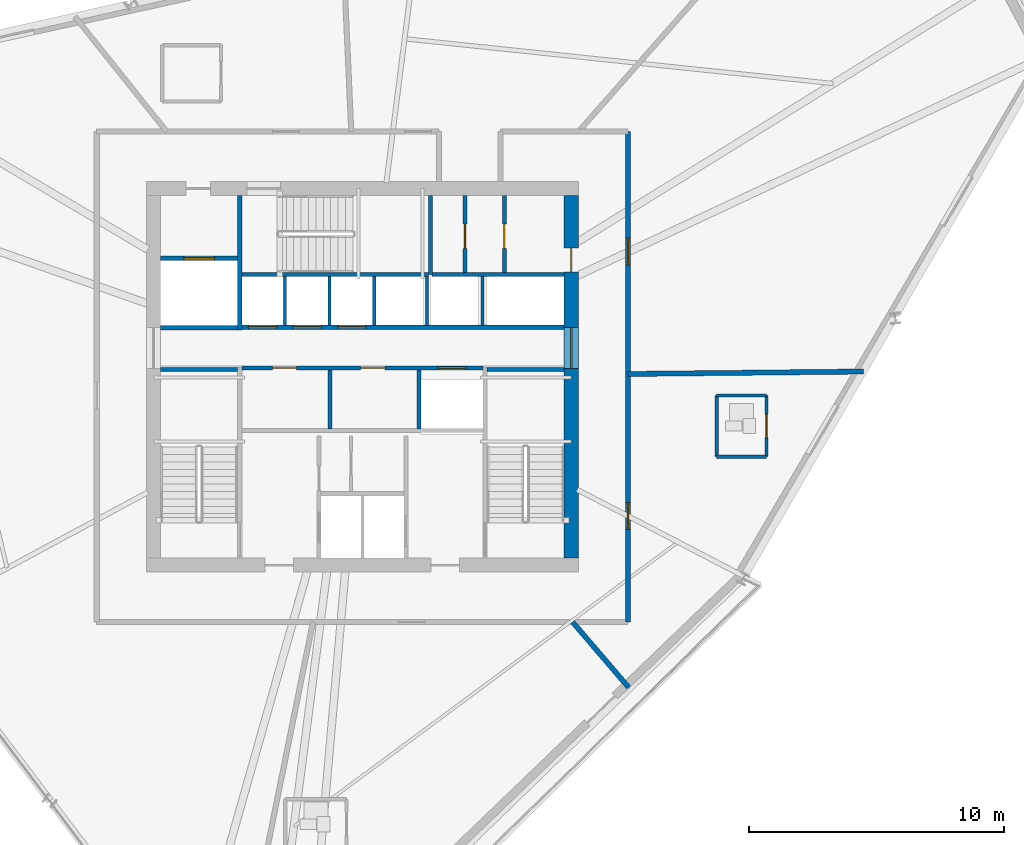
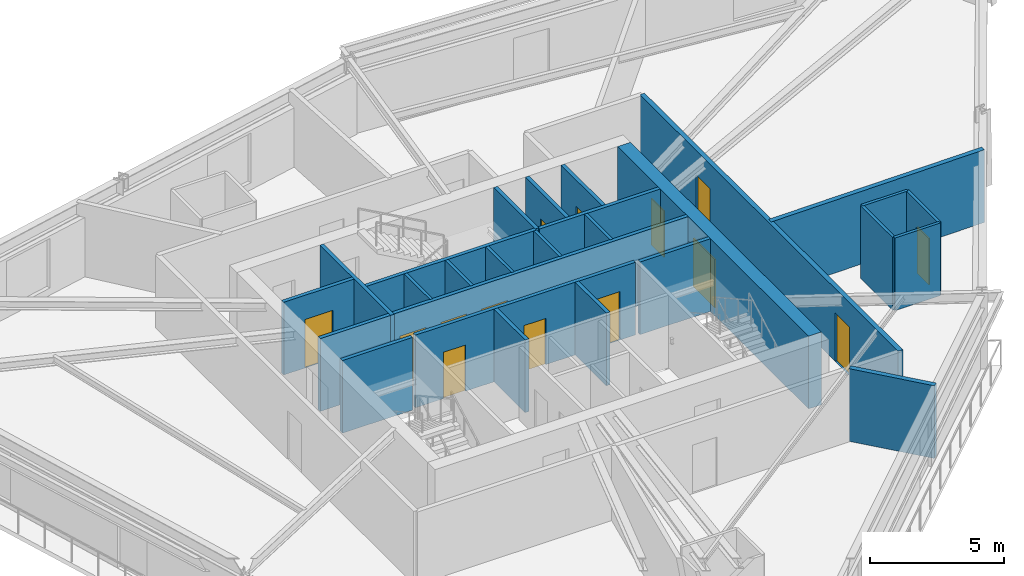
# One storey, part 9 of 15: 27 walls, 14 doors, 14 openings.
"""IFC4 building model written with IfcOpenShell, lengths in metres."""

from ifc_helpers import new_model, si_unit, direction, frame, frame_2d, origin, place, context, subcontext, project, spatial, rectangle, extrude, source, transform, mapped, material, layer, layer_set, type_object, type_shapes, element, fill, save


model = new_model("IFC4")

# Units and contexts
model_context = context("Model", 3, precision=1e-05, world=origin(), true_north=direction((0.0, 1.0)))
body_context = subcontext(model_context, "Body", "Model", "MODEL_VIEW")
ifc_project = project(units=[si_unit("LENGTHUNIT", "METRE"), si_unit("AREAUNIT", "SQUARE_METRE"), si_unit("VOLUMEUNIT", "CUBIC_METRE"), si_unit("PLANEANGLEUNIT", "RADIAN"), si_unit("MASSUNIT", "GRAM", prefix="KILO")], contexts=[model_context])

# Site, building, storey
site_placement = place(None, origin())
site = spatial("IfcSite", under=ifc_project, at=site_placement, CompositionType="ELEMENT")
building_placement = place(site_placement, origin())
building = spatial("IfcBuilding", under=site, at=building_placement, Name="Olszyna Solenne Hotel", CompositionType="ELEMENT")
storey_placement = place(building_placement, frame((0.0, 0.0, 150.14990234375)))
storey = spatial("IfcBuildingStorey", under=building, at=storey_placement, Name="L39", CompositionType="ELEMENT", Elevation=150.14990234375)

# Wall, openings, doors
ifc_material_1 = material(Name="Concrete C50/60", Category="concrete")
ifc_layer_1 = layer(ifc_material_1, 0.550048828125, Name="Concrete C50/60")
ifc_layer_set_1 = layer_set([ifc_layer_1], Name="Concrete C50/60")
wall_type_1 = type_object("IfcWallType", Name="WL-CR550", PredefinedType="SHEAR", material=ifc_layer_set_1)
wall_1_placement = place(storey_placement, frame((46.175048828125, 33.699951171875, 0.0), z_axis=(0.0, 0.0, 1.0), x_axis=(0.0, -1.0, 0.0)))
wall_1 = element("IfcWall", 1, at=wall_1_placement, inside=storey, type_object=wall_type_1, Name="Core shear wall WL-CR550 CRW-L39-E", PredefinedType="SHEAR", context=body_context, shape_type="SweptSolid", body=[
    extrude(rectangle(XDim=14.199951171875, YDim=0.550048828125, at=frame_2d((7.10009765625, 0.0))), origin(), (0.0, 0.0, 1.0), 3.300048828125),
])
opening_1_placement = place(wall_1_placement, frame((5.179931640625, 0.0, 0.0)))
opening_1 = element("IfcOpeningElement", 2, at=opening_1_placement, cuts=wall_1, Name="Opening LHD-L39-E", PredefinedType="OPENING", context=body_context, shape_type="SweptSolid", body=[
    extrude(rectangle(XDim=1.60009765625, YDim=2.199951171875, at=frame_2d((0.800048828125, 1.10009765625))), frame((0.0, 0.28515625, 0.0), z_axis=(0.0, -1.0, 0.0), x_axis=(1.0, 0.0, 0.0)), (0.0, 0.0, 1.0), 0.570068359375),
])
opening_2_placement = place(wall_1_placement, frame((2.050048828125, 0.0, 0.0)))
opening_2 = element("IfcOpeningElement", 3, at=opening_2_placement, cuts=wall_1, Name="Opening SVD-L39-BE", PredefinedType="OPENING", context=body_context, shape_type="SweptSolid", body=[
    extrude(rectangle(XDim=0.949951171875, YDim=2.10009765625, at=frame_2d((0.47509765625, 1.050048828125))), frame((0.0, 0.28515625, 0.0), z_axis=(0.0, -1.0, 0.0), x_axis=(1.0, 0.0, 0.0)), (0.0, 0.0, 1.0), 0.570068359375),
])
ifc_material_2 = material(Name="Steel S355J2", Category="steel")
door_type_1 = type_object("IfcDoorType", Name="DR-SV1", OperationType="NOTDEFINED", PredefinedType="DOOR", material=ifc_material_2)
shared_shape_1 = source(origin(), body_context, "Body", "SweptSolid", [
    extrude(rectangle(XDim=0.949951171875, YDim=2.10009765625, at=frame_2d((0.47509765625, 1.050048828125))), frame((0.0, 0.02490234375, 0.0), z_axis=(0.0, -1.0, 0.0), x_axis=(1.0, 0.0, 0.0)), (0.0, 0.0, 1.0), 0.050048828125),
])
type_shapes(door_type_1, [shared_shape_1])
door_1_placement = place(opening_2_placement, origin())
door_1 = element("IfcDoor", 4, at=door_1_placement, inside=storey, type_object=door_type_1, Name="Housekeeping core fire door SVD-L39-BE", OperationType="SINGLE_SWING_RIGHT", OverallHeight=2.10009765625, OverallWidth=0.949951171875, PredefinedType="DOOR", context=body_context, shape_type="MappedRepresentation", body=[
    mapped(shared_shape_1, transform((0.0, 0.0, 0.0), x_axis=(1.0, 0.0, 0.0), y_axis=(0.0, 1.0, 0.0), z_axis=(0.0, 0.0, 1.0), scale=1.0)),
])
fill(opening_2, door_1)
ifc_material_3 = material(Name="Timber hardwood", Category="wood")
door_type_2 = type_object("IfcDoorType", Name="DR-CR1", OperationType="DOUBLE_DOOR_SINGLE_SWING", PredefinedType="DOOR", material=ifc_material_3)
shared_shape_2 = source(origin(), body_context, "Body", "SweptSolid", [
    extrude(rectangle(XDim=1.60009765625, YDim=2.199951171875, at=frame_2d((0.800048828125, 1.10009765625))), frame((0.0, 0.02490234375, 0.0), z_axis=(0.0, -1.0, 0.0), x_axis=(1.0, 0.0, 0.0)), (0.0, 0.0, 1.0), 0.050048828125),
])
type_shapes(door_type_2, [shared_shape_2])
door_2_placement = place(opening_1_placement, origin())
door_2 = element("IfcDoor", 5, at=door_2_placement, inside=storey, type_object=door_type_2, Name="Passenger lift lobby East fire door LHD-L39-E", OperationType="DOUBLE_DOOR_SINGLE_SWING", OverallHeight=2.199951171875, OverallWidth=1.60009765625, PredefinedType="DOOR", context=body_context, shape_type="MappedRepresentation", body=[
    mapped(shared_shape_2, transform((0.0, 0.0, 0.0), x_axis=(1.0, 0.0, 0.0), y_axis=(0.0, 1.0, 0.0), z_axis=(0.0, 0.0, 1.0), scale=1.0)),
])
fill(opening_1, door_2)

# Walls
ifc_material_4 = material(Name="Acoustic gypsum partition", Category="gypsum")
ifc_layer_2 = layer(ifc_material_4, 0.125, Name="Acoustic gypsum partition")
ifc_layer_set_2 = layer_set([ifc_layer_2], Name="Acoustic gypsum partition")
wall_type_2 = type_object("IfcWallType", Name="WL-PT125", PredefinedType="PARTITIONING", material=ifc_layer_set_2)
for number, where, z_axis, x_axis, name in (
    (6, (34.965087890625, 28.60009765625, 0.0), (0.0, 0.0, 1.0), (0.0, 1.0, 0.0), "Core shaft compartment wall CW-L39-DIVN349"),
    (7, (36.715087890625, 28.60009765625, 0.0), (0.0, 0.0, 1.0), (0.0, 1.0, 0.0), "Core shaft compartment wall CW-L39-DIVN367"),
    (8, (38.465087890625, 28.60009765625, 0.0), (0.0, 0.0, 1.0), (0.0, 1.0, 0.0), "Core shaft compartment wall CW-L39-DIVN384"),
    (9, (40.52490234375, 28.60009765625, 0.0), (0.0, 0.0, 1.0), (0.0, 1.0, 0.0), "Core shaft compartment wall CW-L39-DIVEX405"),
    (10, (42.699951171875, 28.60009765625, 0.0), (0.0, 0.0, 1.0), (0.0, 1.0, 0.0), "Core shaft compartment wall CW-L39-DIVEX427"),
):
    element("IfcWall", number, at=place(storey_placement, frame(where, z_axis=z_axis, x_axis=x_axis)), inside=storey, type_object=wall_type_2, Name=name, PredefinedType="PARTITIONING", context=body_context, shape_type="SweptSolid", body=[
        extrude(rectangle(XDim=1.919921875, YDim=0.125, at=frame_2d((0.9599609375, 0.0))), origin(), (0.0, 0.0, 1.0), 3.300048828125),
    ])

# Wall, opening, door
wall_2_placement = place(storey_placement, frame((53.81689453125, 23.470947265625, 0.0), z_axis=(0.0, 0.0, 1.0), x_axis=(0.0, 1.0, 0.0)))
wall_2 = element("IfcWall", 11, at=wall_2_placement, inside=storey, type_object=wall_type_2, Name="Interior acoustic partition WL-PT125 PW-L39-2219", PredefinedType="PARTITIONING", context=body_context, shape_type="SweptSolid", body=[
    extrude(rectangle(XDim=2.400146484375, YDim=0.125, at=frame_2d((1.2001953125, 0.0))), origin(), (0.0, 0.0, 1.0), 3.300048828125),
])
opening_3_placement = place(wall_2_placement, frame((0.75, 0.0, 0.0)))
opening_3 = element("IfcOpeningElement", 12, at=opening_3_placement, cuts=wall_2, Name="Opening DR-L39-0538", PredefinedType="OPENING", context=body_context, shape_type="SweptSolid", body=[
    extrude(rectangle(XDim=0.89990234375, YDim=2.10009765625, at=frame_2d((0.449951171875, 1.050048828125))), frame((0.0, 0.072509765625, 0.0), z_axis=(0.0, -1.0, 0.0), x_axis=(1.0, 0.0, 0.0)), (0.0, 0.0, 1.0), 0.14501953125),
])
door_type_3 = type_object("IfcDoorType", Name="DR-WC1", OperationType="NOTDEFINED", PredefinedType="DOOR", material=ifc_material_3)
shared_shape_3 = source(origin(), body_context, "Body", "SweptSolid", [
    extrude(rectangle(XDim=0.89990234375, YDim=2.10009765625, at=frame_2d((0.449951171875, 1.050048828125))), frame((0.0, 0.02490234375, 0.0), z_axis=(0.0, -1.0, 0.0), x_axis=(1.0, 0.0, 0.0)), (0.0, 0.0, 1.0), 0.050048828125),
])
type_shapes(door_type_3, [shared_shape_3])
door_3_placement = place(opening_3_placement, origin())
door_3 = element("IfcDoor", 13, at=door_3_placement, inside=storey, type_object=door_type_3, Name="En-Suite Bathroom Door DR-L39-0538", OperationType="SINGLE_SWING_RIGHT", OverallHeight=2.10009765625, OverallWidth=0.89990234375, PredefinedType="DOOR", context=body_context, shape_type="MappedRepresentation", body=[
    mapped(shared_shape_3, transform((0.0, 0.0, 0.0), x_axis=(1.0, 0.0, 0.0), y_axis=(0.0, 1.0, 0.0), z_axis=(0.0, 0.0, 1.0), scale=1.0)),
])
fill(opening_3, door_3)

# Walls
wall_3_placement = place(storey_placement, frame((53.81689453125, 25.87109375, 0.0), z_axis=(0.0, 0.0, 1.0), x_axis=(-1.0, 0.0, 0.0)))
element("IfcWall", 14, at=wall_3_placement, inside=storey, type_object=wall_type_2, Name="Interior acoustic partition WL-PT125 PW-L39-2220", PredefinedType="PARTITIONING", context=body_context, shape_type="SweptSolid", body=[
    extrude(rectangle(XDim=1.949951171875, YDim=0.125, at=frame_2d((0.97509765625, 0.0))), origin(), (0.0, 0.0, 1.0), 3.300048828125),
])
wall_4_placement = place(storey_placement, frame((51.866943359375, 25.87109375, 0.0), z_axis=(0.0, 0.0, 1.0), x_axis=(0.0, -1.0, 0.0)))
element("IfcWall", 15, at=wall_4_placement, inside=storey, type_object=wall_type_2, Name="Interior acoustic partition WL-PT125 PW-L39-2221", PredefinedType="PARTITIONING", context=body_context, shape_type="SweptSolid", body=[
    extrude(rectangle(XDim=2.400146484375, YDim=0.125, at=frame_2d((1.2001953125, 0.0))), origin(), (0.0, 0.0, 1.0), 3.300048828125),
])
wall_5_placement = place(storey_placement, frame((51.866943359375, 23.470947265625, 0.0), z_axis=(0.0, 0.0, 1.0), x_axis=(1.0, 0.0, 0.0)))
element("IfcWall", 16, at=wall_5_placement, inside=storey, type_object=wall_type_2, Name="Interior acoustic partition WL-PT125 PW-L39-2222", PredefinedType="PARTITIONING", context=body_context, shape_type="SweptSolid", body=[
    extrude(rectangle(XDim=1.949951171875, YDim=0.125, at=frame_2d((0.97509765625, 0.0))), origin(), (0.0, 0.0, 1.0), 3.300048828125),
])
ifc_layer_3 = layer(ifc_material_4, 0.159912109375, Name="Acoustic gypsum partition")
ifc_layer_set_3 = layer_set([ifc_layer_3], Name="Acoustic gypsum partition")
wall_type_3 = type_object("IfcWallType", Name="WL-PT160", PredefinedType="PARTITIONING", material=ifc_layer_set_3)
for number, where, z_axis, x_axis, name in (
    (17, (30.10009765625, 26.8798828125, 0.0), (0.0, 0.0, 1.0), (1.0, 0.0, 0.0), "Core shaft compartment wall CW-L39-ST1N"),
    (18, (42.8798828125, 26.8798828125, 0.0), (0.0, 0.0, 1.0), (1.0, 0.0, 0.0), "Core shaft compartment wall CW-L39-ST2N"),
):
    element("IfcWall", number, at=place(storey_placement, frame(where, z_axis=z_axis, x_axis=x_axis)), inside=storey, type_object=wall_type_3, Name=name, PredefinedType="PARTITIONING", context=body_context, shape_type="SweptSolid", body=[
        extrude(rectangle(XDim=3.02001953125, YDim=0.159912109375, at=frame_2d((1.510009765625, 0.0))), origin(), (0.0, 0.0, 1.0), 3.300048828125),
    ])
wall_6_placement = place(storey_placement, frame((33.280029296875, 30.60009765625, 0.0), z_axis=(0.0, 0.0, 1.0), x_axis=(1.0, 0.0, 0.0)))
element("IfcWall", 19, at=wall_6_placement, inside=storey, type_object=wall_type_3, Name="Core shaft compartment wall CW-L39-ST3S", PredefinedType="PARTITIONING", context=body_context, shape_type="SweptSolid", body=[
    extrude(rectangle(XDim=7.300048828125, YDim=0.159912109375, at=frame_2d((3.64990234375, 0.0))), origin(), (0.0, 0.0, 1.0), 3.300048828125),
])
wall_7_placement = place(storey_placement, frame((40.659912109375, 30.60009765625, 0.0), z_axis=(0.0, 0.0, 1.0), x_axis=(0.0, 1.0, 0.0)))
element("IfcWall", 20, at=wall_7_placement, inside=storey, type_object=wall_type_3, Name="Core shaft compartment wall CW-L39-ST3E", PredefinedType="PARTITIONING", context=body_context, shape_type="SweptSolid", body=[
    extrude(rectangle(XDim=3.099853515625, YDim=0.159912109375, at=frame_2d((1.5498046875, 0.0))), origin(), (0.0, 0.0, 1.0), 3.300048828125),
])
wall_8_placement = place(storey_placement, frame((30.10009765625, 28.52001953125, 0.0), z_axis=(0.0, 0.0, 1.0), x_axis=(1.0, 0.0, 0.0)))
element("IfcWall", 21, at=wall_8_placement, inside=storey, type_object=wall_type_3, Name="Core shaft compartment wall CW-L39-SV1S", PredefinedType="PARTITIONING", context=body_context, shape_type="SweptSolid", body=[
    extrude(rectangle(XDim=3.02001953125, YDim=0.159912109375, at=frame_2d((1.510009765625, 0.0))), origin(), (0.0, 0.0, 1.0), 3.300048828125),
])
wall_9_placement = place(storey_placement, frame((33.199951171875, 28.43994140625, 0.0), z_axis=(0.0, 0.0, 1.0), x_axis=(0.0, 1.0, 0.0)))
element("IfcWall", 22, at=wall_9_placement, inside=storey, type_object=wall_type_3, Name="Core shaft compartment wall CW-L39-SV1E", PredefinedType="PARTITIONING", context=body_context, shape_type="SweptSolid", body=[
    extrude(rectangle(XDim=5.260009765625, YDim=0.159912109375, at=frame_2d((2.6298828125, 0.0))), origin(), (0.0, 0.0, 1.0), 3.300048828125),
])

# Wall, opening, door
wall_10_placement = place(storey_placement, frame((30.10009765625, 31.239990234375, 0.0), z_axis=(0.0, 0.0, 1.0), x_axis=(1.0, 0.0, 0.0)))
wall_10 = element("IfcWall", 23, at=wall_10_placement, inside=storey, type_object=wall_type_3, Name="Core shaft compartment wall CW-L39-SV1N", PredefinedType="PARTITIONING", context=body_context, shape_type="SweptSolid", body=[
    extrude(rectangle(XDim=3.02001953125, YDim=0.159912109375, at=frame_2d((1.510009765625, 0.0))), origin(), (0.0, 0.0, 1.0), 3.300048828125),
])
opening_4_placement = place(wall_10_placement, frame((0.909912109375, 0.0, 0.0)))
opening_4 = element("IfcOpeningElement", 24, at=opening_4_placement, cuts=wall_10, Name="Opening LD-L39-SV1", PredefinedType="OPENING", context=body_context, shape_type="SweptSolid", body=[
    extrude(rectangle(XDim=1.199951171875, YDim=2.199951171875, at=frame_2d((0.60009765625, 1.10009765625))), frame((0.0, 0.08984375, 0.0), z_axis=(0.0, -1.0, 0.0), x_axis=(1.0, 0.0, 0.0)), (0.0, 0.0, 1.0), 0.179931640625),
])
door_type_4 = type_object("IfcDoorType", Name="LD-FF1", OperationType="DOUBLE_DOOR_SLIDING", PredefinedType="DOOR", material=ifc_material_2)
shared_shape_4 = source(origin(), body_context, "Body", "SweptSolid", [
    extrude(rectangle(XDim=1.199951171875, YDim=2.199951171875, at=frame_2d((0.60009765625, 1.10009765625))), frame((0.0, 0.02490234375, 0.0), z_axis=(0.0, -1.0, 0.0), x_axis=(1.0, 0.0, 0.0)), (0.0, 0.0, 1.0), 0.050048828125),
])
type_shapes(door_type_4, [shared_shape_4])
door_4_placement = place(opening_4_placement, origin())
door_4 = element("IfcDoor", 25, at=door_4_placement, inside=storey, type_object=door_type_4, Name="Service lift SV1 sliding landing door LD-L39-SV1", OperationType="DOUBLE_DOOR_SLIDING", OverallHeight=2.199951171875, OverallWidth=1.199951171875, PredefinedType="DOOR", context=body_context, shape_type="MappedRepresentation", body=[
    mapped(shared_shape_4, transform((0.0, 0.0, 0.0), x_axis=(1.0, 0.0, 0.0), y_axis=(0.0, 1.0, 0.0), z_axis=(0.0, 0.0, 1.0), scale=1.0)),
])
fill(opening_4, door_4)

# Wall, openings, doors
wall_11_placement = place(storey_placement, frame((33.280029296875, 26.949951171875, 0.0), z_axis=(0.0, 0.0, 1.0), x_axis=(1.0, 0.0, 0.0)))
wall_11 = element("IfcWall", 26, at=wall_11_placement, inside=storey, type_object=wall_type_3, Name="Core shaft compartment wall CW-L39-LRS", PredefinedType="PARTITIONING", context=body_context, shape_type="SweptSolid", body=[
    extrude(rectangle(XDim=9.43994140625, YDim=0.159912109375, at=frame_2d((4.719970703125, 0.0))), origin(), (0.0, 0.0, 1.0), 3.300048828125),
])
opening_5_placement = place(wall_11_placement, frame((1.199951171875, 0.0, 0.0)))
opening_5 = element("IfcOpeningElement", 27, at=opening_5_placement, cuts=wall_11, Name="Opening SVD-L39-L71", PredefinedType="OPENING", context=body_context, shape_type="SweptSolid", body=[
    extrude(rectangle(XDim=0.949951171875, YDim=2.10009765625, at=frame_2d((0.47509765625, 1.050048828125))), frame((0.0, 0.08984375, 0.0), z_axis=(0.0, -1.0, 0.0), x_axis=(1.0, 0.0, 0.0)), (0.0, 0.0, 1.0), 0.179931640625),
])
opening_6_placement = place(wall_11_placement, frame((4.64990234375, 0.0, 0.0)))
opening_6 = element("IfcOpeningElement", 28, at=opening_6_placement, cuts=wall_11, Name="Opening SVD-L39-L72", PredefinedType="OPENING", context=body_context, shape_type="SweptSolid", body=[
    extrude(rectangle(XDim=0.949951171875, YDim=2.10009765625, at=frame_2d((0.47509765625, 1.050048828125))), frame((0.0, 0.08984375, 0.0), z_axis=(0.0, -1.0, 0.0), x_axis=(1.0, 0.0, 0.0)), (0.0, 0.0, 1.0), 0.179931640625),
])
opening_7_placement = place(wall_11_placement, frame((7.669921875, 0.0, 0.0)))
opening_7 = element("IfcOpeningElement", 29, at=opening_7_placement, cuts=wall_11, Name="Opening LD-L39-PL5", PredefinedType="OPENING", context=body_context, shape_type="SweptSolid", body=[
    extrude(rectangle(XDim=1.10009765625, YDim=2.199951171875, at=frame_2d((0.550048828125, 1.10009765625))), frame((0.0, 0.08984375, 0.0), z_axis=(0.0, -1.0, 0.0), x_axis=(1.0, 0.0, 0.0)), (0.0, 0.0, 1.0), 0.179931640625),
])
door_5_placement = place(opening_5_placement, origin())
door_5 = element("IfcDoor", 30, at=door_5_placement, inside=storey, type_object=door_type_1, Name="Recaptured core room fire door SVD-L39-L71", OperationType="SINGLE_SWING_LEFT", OverallHeight=2.10009765625, OverallWidth=0.949951171875, PredefinedType="DOOR", context=body_context, shape_type="MappedRepresentation", body=[
    mapped(shared_shape_1, transform((0.0, 0.0, 0.0), x_axis=(1.0, 0.0, 0.0), y_axis=(0.0, 1.0, 0.0), z_axis=(0.0, 0.0, 1.0), scale=1.0)),
])
fill(opening_5, door_5)
door_6_placement = place(opening_6_placement, origin())
door_6 = element("IfcDoor", 31, at=door_6_placement, inside=storey, type_object=door_type_1, Name="Recaptured core room fire door SVD-L39-L72", OperationType="SINGLE_SWING_RIGHT", OverallHeight=2.10009765625, OverallWidth=0.949951171875, PredefinedType="DOOR", context=body_context, shape_type="MappedRepresentation", body=[
    mapped(shared_shape_1, transform((0.0, 0.0, 0.0), x_axis=(1.0, 0.0, 0.0), y_axis=(0.0, 1.0, 0.0), z_axis=(0.0, 0.0, 1.0), scale=1.0)),
])
fill(opening_6, door_6)
door_type_5 = type_object("IfcDoorType", Name="LD-P1", OperationType="DOUBLE_DOOR_SLIDING", PredefinedType="DOOR", material=ifc_material_2)
shared_shape_5 = source(origin(), body_context, "Body", "SweptSolid", [
    extrude(rectangle(XDim=1.10009765625, YDim=2.199951171875, at=frame_2d((0.550048828125, 1.10009765625))), frame((0.0, 0.02490234375, 0.0), z_axis=(0.0, -1.0, 0.0), x_axis=(1.0, 0.0, 0.0)), (0.0, 0.0, 1.0), 0.050048828125),
])
type_shapes(door_type_5, [shared_shape_5])
door_7_placement = place(opening_7_placement, origin())
door_7 = element("IfcDoor", 32, at=door_7_placement, inside=storey, type_object=door_type_5, Name="Passenger lift PL5 sliding landing door LD-L39-PL5", OperationType="DOUBLE_DOOR_SLIDING", OverallHeight=2.199951171875, OverallWidth=1.10009765625, PredefinedType="DOOR", context=body_context, shape_type="MappedRepresentation", body=[
    mapped(shared_shape_5, transform((0.0, 0.0, 0.0), x_axis=(1.0, 0.0, 0.0), y_axis=(0.0, 1.0, 0.0), z_axis=(0.0, 0.0, 1.0), scale=1.0)),
])
fill(opening_7, door_7)

# Walls
for number, where, z_axis, x_axis, name in (
    (33, (36.72998046875, 24.56005859375, 0.0), (0.0, 0.0, 1.0), (0.0, 1.0, 0.0), "Core shaft compartment wall CW-L39-LV7DIV1"),
    (34, (40.215087890625, 24.56005859375, 0.0), (0.0, 0.0, 1.0), (0.0, 1.0, 0.0), "Core shaft compartment wall CW-L39-LV7DIV2"),
):
    element("IfcWall", number, at=place(storey_placement, frame(where, z_axis=z_axis, x_axis=x_axis)), inside=storey, type_object=wall_type_3, Name=name, PredefinedType="PARTITIONING", context=body_context, shape_type="SweptSolid", body=[
        extrude(rectangle(XDim=2.31005859375, YDim=0.159912109375, at=frame_2d((1.155029296875, 0.0))), origin(), (0.0, 0.0, 1.0), 3.300048828125),
    ])

# Wall, openings, doors
wall_12_placement = place(storey_placement, frame((33.280029296875, 28.5400390625, 0.0), z_axis=(0.0, 0.0, 1.0), x_axis=(1.0, 0.0, 0.0)))
wall_12 = element("IfcWall", 35, at=wall_12_placement, inside=storey, type_object=wall_type_3, Name="Core shaft compartment wall CW-L39-LRN", PredefinedType="PARTITIONING", context=body_context, shape_type="SweptSolid", body=[
    extrude(rectangle(XDim=12.619873046875, YDim=0.159912109375, at=frame_2d((6.31005859375, 0.0))), origin(), (0.0, 0.0, 1.0), 3.300048828125),
])
opening_8_placement = place(wall_12_placement, frame((0.260009765625, 0.0, 0.0)))
opening_8 = element("IfcOpeningElement", 36, at=opening_8_placement, cuts=wall_12, Name="Opening LD-L39-PL6", PredefinedType="OPENING", context=body_context, shape_type="SweptSolid", body=[
    extrude(rectangle(XDim=1.10009765625, YDim=2.199951171875, at=frame_2d((0.550048828125, 1.10009765625))), frame((0.0, 0.08984375, 0.0), z_axis=(0.0, -1.0, 0.0), x_axis=(1.0, 0.0, 0.0)), (0.0, 0.0, 1.0), 0.179931640625),
])
opening_9_placement = place(wall_12_placement, frame((2.010009765625, 0.0, 0.0)))
opening_9 = element("IfcOpeningElement", 37, at=opening_9_placement, cuts=wall_12, Name="Opening LD-L39-PL7", PredefinedType="OPENING", context=body_context, shape_type="SweptSolid", body=[
    extrude(rectangle(XDim=1.10009765625, YDim=2.199951171875, at=frame_2d((0.550048828125, 1.10009765625))), frame((0.0, 0.08984375, 0.0), z_axis=(0.0, -1.0, 0.0), x_axis=(1.0, 0.0, 0.0)), (0.0, 0.0, 1.0), 0.179931640625),
])
opening_10_placement = place(wall_12_placement, frame((3.760009765625, 0.0, 0.0)))
opening_10 = element("IfcOpeningElement", 38, at=opening_10_placement, cuts=wall_12, Name="Opening LD-L39-PL8", PredefinedType="OPENING", context=body_context, shape_type="SweptSolid", body=[
    extrude(rectangle(XDim=1.10009765625, YDim=2.199951171875, at=frame_2d((0.550048828125, 1.10009765625))), frame((0.0, 0.08984375, 0.0), z_axis=(0.0, -1.0, 0.0), x_axis=(1.0, 0.0, 0.0)), (0.0, 0.0, 1.0), 0.179931640625),
])
door_8_placement = place(opening_8_placement, origin())
door_8 = element("IfcDoor", 39, at=door_8_placement, inside=storey, type_object=door_type_5, Name="Passenger lift PL6 sliding landing door LD-L39-PL6", OperationType="DOUBLE_DOOR_SLIDING", OverallHeight=2.199951171875, OverallWidth=1.10009765625, PredefinedType="DOOR", context=body_context, shape_type="MappedRepresentation", body=[
    mapped(shared_shape_5, transform((0.0, 0.0, 0.0), x_axis=(1.0, 0.0, 0.0), y_axis=(0.0, 1.0, 0.0), z_axis=(0.0, 0.0, 1.0), scale=1.0)),
])
fill(opening_8, door_8)
door_9_placement = place(opening_9_placement, origin())
door_9 = element("IfcDoor", 40, at=door_9_placement, inside=storey, type_object=door_type_5, Name="Passenger lift PL7 sliding landing door LD-L39-PL7", OperationType="DOUBLE_DOOR_SLIDING", OverallHeight=2.199951171875, OverallWidth=1.10009765625, PredefinedType="DOOR", context=body_context, shape_type="MappedRepresentation", body=[
    mapped(shared_shape_5, transform((0.0, 0.0, 0.0), x_axis=(1.0, 0.0, 0.0), y_axis=(0.0, 1.0, 0.0), z_axis=(0.0, 0.0, 1.0), scale=1.0)),
])
fill(opening_9, door_9)
door_10_placement = place(opening_10_placement, origin())
door_10 = element("IfcDoor", 41, at=door_10_placement, inside=storey, type_object=door_type_5, Name="Passenger lift PL8 sliding landing door LD-L39-PL8", OperationType="DOUBLE_DOOR_SLIDING", OverallHeight=2.199951171875, OverallWidth=1.10009765625, PredefinedType="DOOR", context=body_context, shape_type="MappedRepresentation", body=[
    mapped(shared_shape_5, transform((0.0, 0.0, 0.0), x_axis=(1.0, 0.0, 0.0), y_axis=(0.0, 1.0, 0.0), z_axis=(0.0, 0.0, 1.0), scale=1.0)),
])
fill(opening_10, door_10)

# Wall
wall_13_placement = place(storey_placement, frame((40.719970703125, 30.60009765625, 0.0), z_axis=(0.0, 0.0, 1.0), x_axis=(1.0, 0.0, 0.0)))
element("IfcWall", 42, at=wall_13_placement, inside=storey, type_object=wall_type_3, Name="Core shaft compartment wall CW-L39-LRNTOP", PredefinedType="PARTITIONING", context=body_context, shape_type="SweptSolid", body=[
    extrude(rectangle(XDim=5.179931640625, YDim=0.159912109375, at=frame_2d((2.58984375, 0.0))), origin(), (0.0, 0.0, 1.0), 3.300048828125),
])

# Wall, opening, door
wall_14_placement = place(storey_placement, frame((42.014892578125, 30.679931640625, 0.0), z_axis=(0.0, 0.0, 1.0), x_axis=(0.0, 1.0, 0.0)))
wall_14 = element("IfcWall", 43, at=wall_14_placement, inside=storey, type_object=wall_type_3, Name="Core shaft compartment wall CW-L39-BOH3A", PredefinedType="PARTITIONING", context=body_context, shape_type="SweptSolid", body=[
    extrude(rectangle(XDim=3.02001953125, YDim=0.159912109375, at=frame_2d((1.510009765625, 0.0))), origin(), (0.0, 0.0, 1.0), 3.300048828125),
])
opening_11_placement = place(wall_14_placement, frame((0.949951171875, 0.0, 0.0)))
opening_11 = element("IfcOpeningElement", 44, at=opening_11_placement, cuts=wall_14, Name="Opening SVD-L39-B31", PredefinedType="OPENING", context=body_context, shape_type="SweptSolid", body=[
    extrude(rectangle(XDim=0.949951171875, YDim=2.10009765625, at=frame_2d((0.47509765625, 1.050048828125))), frame((0.0, 0.08984375, 0.0), z_axis=(0.0, -1.0, 0.0), x_axis=(1.0, 0.0, 0.0)), (0.0, 0.0, 1.0), 0.179931640625),
])
door_11_placement = place(opening_11_placement, origin())
door_11 = element("IfcDoor", 45, at=door_11_placement, inside=storey, type_object=door_type_1, Name="BOH inter-room fire door SVD-L39-B31", OperationType="SINGLE_SWING_LEFT", OverallHeight=2.10009765625, OverallWidth=0.949951171875, PredefinedType="DOOR", context=body_context, shape_type="MappedRepresentation", body=[
    mapped(shared_shape_1, transform((0.0, 0.0, 0.0), x_axis=(1.0, 0.0, 0.0), y_axis=(0.0, 1.0, 0.0), z_axis=(0.0, 0.0, 1.0), scale=1.0)),
])
fill(opening_11, door_11)

wall_15_placement = place(storey_placement, frame((43.554931640625, 30.679931640625, 0.0), z_axis=(0.0, 0.0, 1.0), x_axis=(0.0, 1.0, 0.0)))
wall_15 = element("IfcWall", 46, at=wall_15_placement, inside=storey, type_object=wall_type_3, Name="Core shaft compartment wall CW-L39-BOH3B", PredefinedType="PARTITIONING", context=body_context, shape_type="SweptSolid", body=[
    extrude(rectangle(XDim=3.02001953125, YDim=0.159912109375, at=frame_2d((1.510009765625, 0.0))), origin(), (0.0, 0.0, 1.0), 3.300048828125),
])
opening_12_placement = place(wall_15_placement, frame((0.949951171875, 0.0, 0.0)))
opening_12 = element("IfcOpeningElement", 47, at=opening_12_placement, cuts=wall_15, Name="Opening SVD-L39-B32", PredefinedType="OPENING", context=body_context, shape_type="SweptSolid", body=[
    extrude(rectangle(XDim=0.949951171875, YDim=2.10009765625, at=frame_2d((0.47509765625, 1.050048828125))), frame((0.0, 0.08984375, 0.0), z_axis=(0.0, -1.0, 0.0), x_axis=(1.0, 0.0, 0.0)), (0.0, 0.0, 1.0), 0.179931640625),
])
door_12_placement = place(opening_12_placement, origin())
door_12 = element("IfcDoor", 48, at=door_12_placement, inside=storey, type_object=door_type_1, Name="BOH inter-room fire door SVD-L39-B32", OperationType="SINGLE_SWING_LEFT", OverallHeight=2.10009765625, OverallWidth=0.949951171875, PredefinedType="DOOR", context=body_context, shape_type="MappedRepresentation", body=[
    mapped(shared_shape_1, transform((0.0, 0.0, 0.0), x_axis=(1.0, 0.0, 0.0), y_axis=(0.0, 1.0, 0.0), z_axis=(0.0, 0.0, 1.0), scale=1.0)),
])
fill(opening_12, door_12)

# Walls
ifc_layer_4 = layer(ifc_material_4, 0.199951171875, Name="Acoustic gypsum partition")
ifc_layer_set_4 = layer_set([ifc_layer_4], Name="Acoustic gypsum partition")
wall_type_4 = type_object("IfcWallType", Name="WL-PT200", PredefinedType="PARTITIONING", material=ifc_layer_set_4)
wall_16_placement = place(storey_placement, frame((46.228271484375, 17.0, 0.0), z_axis=(0.0, 0.0, 1.0), x_axis=(0.650755597275, -0.759287266201, 0.0)))
element("IfcWall", 49, at=wall_16_placement, inside=storey, type_object=wall_type_4, Name="Interior acoustic partition WL-PT200 PW-L39-2211", PredefinedType="PARTITIONING", context=body_context, shape_type="SweptSolid", body=[
    extrude(rectangle(XDim=3.3720703125, YDim=0.199951171875, at=frame_2d((1.68603515625, 0.0))), origin(), (0.0, 0.0, 1.0), 3.300048828125),
])
wall_17_placement = place(storey_placement, frame((48.39990234375, 26.708984375, 0.0), z_axis=(0.0, 0.0, 1.0), x_axis=(0.99994519162, 0.010469658874, 0.0)))
element("IfcWall", 50, at=wall_17_placement, inside=storey, type_object=wall_type_4, Name="Interior acoustic partition WL-PT200 PW-L39-2212", PredefinedType="PARTITIONING", context=body_context, shape_type="SweptSolid", body=[
    extrude(rectangle(XDim=9.2109375, YDim=0.199951171875, at=frame_2d((4.60546875, 0.0))), origin(), (0.0, 0.0, 1.0), 3.300048828125),
])

# Wall, openings, doors
wall_18_placement = place(storey_placement, frame((48.39990234375, 17.0, 0.0), z_axis=(0.0, 0.0, 1.0), x_axis=(0.0, 1.0, 0.0)))
wall_18 = element("IfcWall", 51, at=wall_18_placement, inside=storey, type_object=wall_type_4, Name="Interior acoustic partition WL-PT200 PW-L39-2233", PredefinedType="PARTITIONING", context=body_context, shape_type="SweptSolid", body=[
    extrude(rectangle(XDim=19.199951171875, YDim=0.199951171875, at=frame_2d((9.60009765625, 0.0))), origin(), (0.0, 0.0, 1.0), 3.300048828125),
])
opening_13_placement = place(wall_18_placement, frame((3.625, 0.0, 0.0)))
opening_13 = element("IfcOpeningElement", 52, at=opening_13_placement, cuts=wall_18, Name="Opening DR-L39-0544", PredefinedType="OPENING", context=body_context, shape_type="SweptSolid", body=[
    extrude(rectangle(XDim=1.050048828125, YDim=2.199951171875, at=frame_2d((0.52490234375, 1.10009765625))), frame((0.0, 0.10986328125, 0.0), z_axis=(0.0, -1.0, 0.0), x_axis=(1.0, 0.0, 0.0)), (0.0, 0.0, 1.0), 0.219970703125),
])
opening_14_placement = place(wall_18_placement, frame((13.97607421875, 0.0, 0.0)))
opening_14 = element("IfcOpeningElement", 53, at=opening_14_placement, cuts=wall_18, Name="Opening DR-L39-0545", PredefinedType="OPENING", context=body_context, shape_type="SweptSolid", body=[
    extrude(rectangle(XDim=1.050048828125, YDim=2.199951171875, at=frame_2d((0.52490234375, 1.10009765625))), frame((0.0, 0.10986328125, 0.0), z_axis=(0.0, -1.0, 0.0), x_axis=(1.0, 0.0, 0.0)), (0.0, 0.0, 1.0), 0.219970703125),
])
door_type_6 = type_object("IfcDoorType", Name="DR-RM2", OperationType="NOTDEFINED", PredefinedType="DOOR", material=ifc_material_3)
shared_shape_6 = source(origin(), body_context, "Body", "SweptSolid", [
    extrude(rectangle(XDim=1.050048828125, YDim=2.199951171875, at=frame_2d((0.52490234375, 1.10009765625))), frame((0.0, 0.02490234375, 0.0), z_axis=(0.0, -1.0, 0.0), x_axis=(1.0, 0.0, 0.0)), (0.0, 0.0, 1.0), 0.050048828125),
])
type_shapes(door_type_6, [shared_shape_6])
door_13_placement = place(opening_13_placement, origin())
door_13 = element("IfcDoor", 54, at=door_13_placement, inside=storey, type_object=door_type_6, Name="Premier King Suite Entrance Door DR-L39-0544", OperationType="SINGLE_SWING_RIGHT", OverallHeight=2.199951171875, OverallWidth=1.050048828125, PredefinedType="DOOR", context=body_context, shape_type="MappedRepresentation", body=[
    mapped(shared_shape_6, transform((0.0, 0.0, 0.0), x_axis=(1.0, 0.0, 0.0), y_axis=(0.0, 1.0, 0.0), z_axis=(0.0, 0.0, 1.0), scale=1.0)),
])
fill(opening_13, door_13)
door_14_placement = place(opening_14_placement, origin())
door_14 = element("IfcDoor", 55, at=door_14_placement, inside=storey, type_object=door_type_6, Name="Conference Boardroom Entrance Door DR-L39-0545", OperationType="SINGLE_SWING_LEFT", OverallHeight=2.199951171875, OverallWidth=1.050048828125, PredefinedType="DOOR", context=body_context, shape_type="MappedRepresentation", body=[
    mapped(shared_shape_6, transform((0.0, 0.0, 0.0), x_axis=(1.0, 0.0, 0.0), y_axis=(0.0, 1.0, 0.0), z_axis=(0.0, 0.0, 1.0), scale=1.0)),
])
fill(opening_14, door_14)

save(model, "model.ifc")
